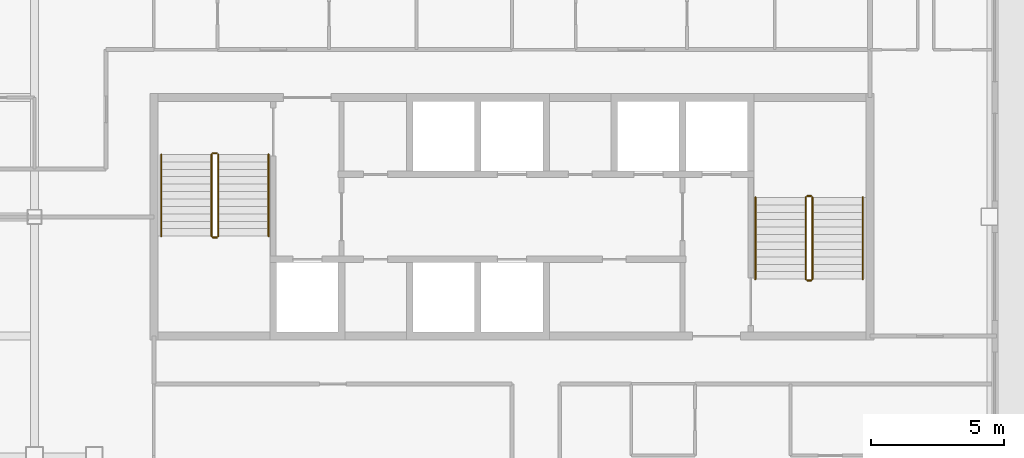
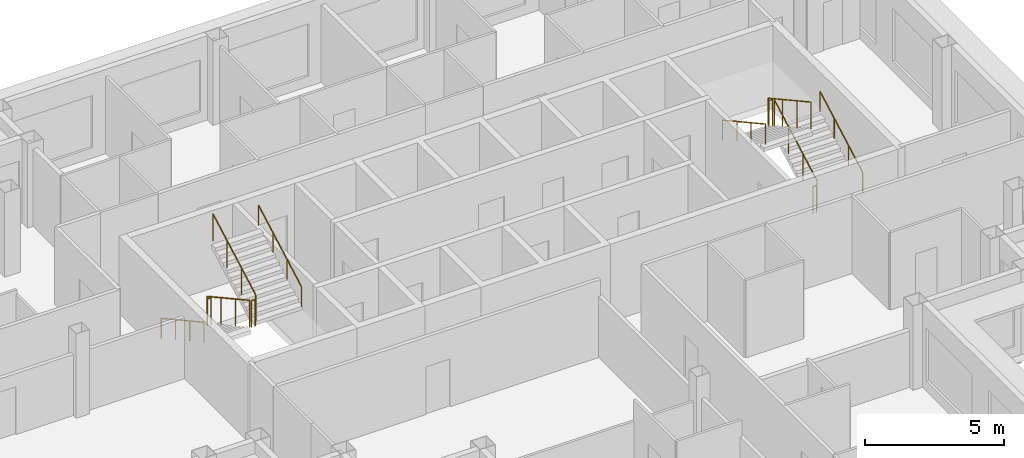
# One storey, part 12 of 12: 12 railings.
"""IFC4 building model written with IfcOpenShell, lengths in metres."""

from ifc_helpers import new_model, si_unit, direction, frame, origin, origin_2d, place, context, subcontext, project, spatial, circle, extrude, material, type_object, element, save


model = new_model("IFC4")

# Units and contexts
model_context = context("Model", 3, precision=1e-05, world=origin(), true_north=direction((0.0, 1.0)))
body_context = subcontext(model_context, "Body", "Model", "MODEL_VIEW")
ifc_project = project(units=[si_unit("LENGTHUNIT", "METRE"), si_unit("AREAUNIT", "SQUARE_METRE"), si_unit("VOLUMEUNIT", "CUBIC_METRE"), si_unit("PLANEANGLEUNIT", "RADIAN"), si_unit("MASSUNIT", "GRAM", prefix="KILO")], contexts=[model_context])

# Site, building, storey
site_placement = place(None, origin())
site = spatial("IfcSite", under=ifc_project, at=site_placement, CompositionType="ELEMENT")
building_placement = place(site_placement, origin())
building = spatial("IfcBuilding", under=site, at=building_placement, Name="Caravel Reach Hotel and Residences", CompositionType="ELEMENT")
storey_placement = place(building_placement, frame((0.0, 0.0, 214.60009765625)))
storey = spatial("IfcBuildingStorey", under=building, at=storey_placement, Name="L54", CompositionType="ELEMENT", Elevation=214.60009765625)

# Railings
ifc_material_1 = material(Name="Steel balustrade with glass infill", Category="steel")
railing_type_1 = type_object("IfcRailingType", Name="Guard 1200", PredefinedType="GUARDRAIL", material=ifc_material_1)
railing_1_placement = place(storey_placement, frame((20.175048828125, 29.35009765625, 0.154052734375)))
element("IfcRailing", 1, at=railing_1_placement, inside=storey, type_object=railing_type_1, Name="L54 ST-A stair guard 1", PredefinedType="GUARDRAIL", context=body_context, shape_type="SweptSolid", body=[
    extrude(circle(Radius=0.02392578125, at=origin_2d()), frame((0.0, 0.0, 1.17578125), z_axis=(0.0, -0.876004717809, 0.482302534076), x_axis=(1.0, 0.0, 0.0)), (0.0, 0.0, 1.0), 3.51611328125),
    extrude(circle(Radius=0.02099609375, at=origin_2d()), origin(), (0.0, 0.0, 1.0), 1.15185546875),
    extrude(circle(Radius=0.02099609375, at=origin_2d()), frame((0.0, -1.026611328125, 0.565185546875)), (0.0, 0.0, 1.0), 1.15185546875),
    extrude(circle(Radius=0.02099609375, at=origin_2d()), frame((0.0, -2.053466796875, 1.130615234375)), (0.0, 0.0, 1.0), 1.15185546875),
    extrude(circle(Radius=0.02099609375, at=origin_2d()), frame((0.0, -3.080078125, 1.69580078125)), (0.0, 0.0, 1.0), 1.15185546875),
])
railing_2_placement = place(storey_placement, frame((20.22509765625, 26.219970703125, 1.849853515625)))
element("IfcRailing", 2, at=railing_2_placement, inside=storey, type_object=railing_type_1, Name="L54 ST-A stair guard 2", PredefinedType="GUARDRAIL", context=body_context, shape_type="SweptSolid", body=[
    extrude(circle(Radius=0.02392578125, at=origin_2d()), frame((0.0, 0.0, 1.17578125), z_axis=(1.0, 0.0, 0.0), x_axis=(0.0, 1.0, 0.0)), (0.0, 0.0, 1.0), 0.14990234375),
    extrude(circle(Radius=0.02099609375, at=origin_2d()), origin(), (0.0, 0.0, 1.0), 1.15185546875),
    extrude(circle(Radius=0.02099609375, at=origin_2d()), frame((0.14990234375, 0.0, 0.0)), (0.0, 0.0, 1.0), 1.15185546875),
])
railing_3_placement = place(storey_placement, frame((20.425048828125, 26.27001953125, 2.004150390625)))
element("IfcRailing", 3, at=railing_3_placement, inside=storey, type_object=railing_type_1, Name="L54 ST-A stair guard 3", PredefinedType="GUARDRAIL", context=body_context, shape_type="SweptSolid", body=[
    extrude(circle(Radius=0.02392578125, at=origin_2d()), frame((0.0, 0.0, 1.17578125), z_axis=(0.0, 0.876004717809, 0.482302534076), x_axis=(-1.0, 0.0, 0.0)), (0.0, 0.0, 1.0), 3.51611328125),
    extrude(circle(Radius=0.02099609375, at=origin_2d()), origin(), (0.0, 0.0, 1.0), 1.15185546875),
    extrude(circle(Radius=0.02099609375, at=origin_2d()), frame((0.0, 1.026611328125, 0.565185546875)), (0.0, 0.0, 1.0), 1.15185546875),
    extrude(circle(Radius=0.02099609375, at=origin_2d()), frame((0.0, 2.053466796875, 1.130615234375)), (0.0, 0.0, 1.0), 1.15185546875),
    extrude(circle(Radius=0.02099609375, at=origin_2d()), frame((0.0, 3.080078125, 1.69580078125)), (0.0, 0.0, 1.0), 1.15185546875),
])
railing_4_placement = place(storey_placement, frame((20.22509765625, 29.39990234375, 0.0)))
element("IfcRailing", 4, at=railing_4_placement, inside=storey, type_object=railing_type_1, Name="L54 ST-A stair guard 4", PredefinedType="GUARDRAIL", context=body_context, shape_type="SweptSolid", body=[
    extrude(circle(Radius=0.02392578125, at=origin_2d()), frame((0.0, 0.0, 1.17578125), z_axis=(1.0, 0.0, 0.0), x_axis=(0.0, 1.0, 0.0)), (0.0, 0.0, 1.0), 0.14990234375),
    extrude(circle(Radius=0.02099609375, at=origin_2d()), origin(), (0.0, 0.0, 1.0), 1.15185546875),
    extrude(circle(Radius=0.02099609375, at=origin_2d()), frame((0.14990234375, 0.0, 0.0)), (0.0, 0.0, 1.0), 1.15185546875),
])
railing_5_placement = place(storey_placement, frame((42.824951171875, 24.64990234375, 0.154052734375)))
element("IfcRailing", 5, at=railing_5_placement, inside=storey, type_object=railing_type_1, Name="L54 ST-B stair guard 1", PredefinedType="GUARDRAIL", context=body_context, shape_type="SweptSolid", body=[
    extrude(circle(Radius=0.02392578125, at=origin_2d()), frame((0.0, 0.0, 1.17578125), z_axis=(0.0, 0.876004717809, 0.482302534076), x_axis=(-1.0, 0.0, 0.0)), (0.0, 0.0, 1.0), 3.51611328125),
    extrude(circle(Radius=0.02099609375, at=origin_2d()), origin(), (0.0, 0.0, 1.0), 1.15185546875),
    extrude(circle(Radius=0.02099609375, at=origin_2d()), frame((0.0, 1.026611328125, 0.565185546875)), (0.0, 0.0, 1.0), 1.15185546875),
    extrude(circle(Radius=0.02099609375, at=origin_2d()), frame((0.0, 2.053466796875, 1.130615234375)), (0.0, 0.0, 1.0), 1.15185546875),
    extrude(circle(Radius=0.02099609375, at=origin_2d()), frame((0.0, 3.080078125, 1.69580078125)), (0.0, 0.0, 1.0), 1.15185546875),
])
railing_6_placement = place(storey_placement, frame((42.77490234375, 27.780029296875, 1.849853515625)))
element("IfcRailing", 6, at=railing_6_placement, inside=storey, type_object=railing_type_1, Name="L54 ST-B stair guard 2", PredefinedType="GUARDRAIL", context=body_context, shape_type="SweptSolid", body=[
    extrude(circle(Radius=0.02392578125, at=origin_2d()), frame((0.0, 0.0, 1.17578125), z_axis=(-1.0, 0.0, 0.0), x_axis=(0.0, -1.0, 0.0)), (0.0, 0.0, 1.0), 0.14990234375),
    extrude(circle(Radius=0.02099609375, at=origin_2d()), origin(), (0.0, 0.0, 1.0), 1.15185546875),
    extrude(circle(Radius=0.02099609375, at=origin_2d()), frame((-0.14990234375, 0.0, 0.0)), (0.0, 0.0, 1.0), 1.15185546875),
])
railing_7_placement = place(storey_placement, frame((42.574951171875, 27.72998046875, 2.004150390625)))
element("IfcRailing", 7, at=railing_7_placement, inside=storey, type_object=railing_type_1, Name="L54 ST-B stair guard 3", PredefinedType="GUARDRAIL", context=body_context, shape_type="SweptSolid", body=[
    extrude(circle(Radius=0.02392578125, at=origin_2d()), frame((0.0, 0.0, 1.17578125), z_axis=(0.0, -0.876004717809, 0.482302534076), x_axis=(1.0, 0.0, 0.0)), (0.0, 0.0, 1.0), 3.51611328125),
    extrude(circle(Radius=0.02099609375, at=origin_2d()), origin(), (0.0, 0.0, 1.0), 1.15185546875),
    extrude(circle(Radius=0.02099609375, at=origin_2d()), frame((0.0, -1.026611328125, 0.565185546875)), (0.0, 0.0, 1.0), 1.15185546875),
    extrude(circle(Radius=0.02099609375, at=origin_2d()), frame((0.0, -2.053466796875, 1.130615234375)), (0.0, 0.0, 1.0), 1.15185546875),
    extrude(circle(Radius=0.02099609375, at=origin_2d()), frame((0.0, -3.080078125, 1.69580078125)), (0.0, 0.0, 1.0), 1.15185546875),
])
railing_8_placement = place(storey_placement, frame((42.77490234375, 24.60009765625, 0.0)))
element("IfcRailing", 8, at=railing_8_placement, inside=storey, type_object=railing_type_1, Name="L54 ST-B stair guard 4", PredefinedType="GUARDRAIL", context=body_context, shape_type="SweptSolid", body=[
    extrude(circle(Radius=0.02392578125, at=origin_2d()), frame((0.0, 0.0, 1.17578125), z_axis=(-1.0, 0.0, 0.0), x_axis=(0.0, -1.0, 0.0)), (0.0, 0.0, 1.0), 0.14990234375),
    extrude(circle(Radius=0.02099609375, at=origin_2d()), origin(), (0.0, 0.0, 1.0), 1.15185546875),
    extrude(circle(Radius=0.02099609375, at=origin_2d()), frame((-0.14990234375, 0.0, 0.0)), (0.0, 0.0, 1.0), 1.15185546875),
])
ifc_material_2 = material(Name="Stainless steel handrail", Category="steel")
railing_type_2 = type_object("IfcRailingType", Name="Handrail 900", PredefinedType="HANDRAIL", material=ifc_material_2)
railing_9_placement = place(storey_placement, frame((18.27490234375, 29.35009765625, 0.154052734375)))
element("IfcRailing", 9, at=railing_9_placement, inside=storey, type_object=railing_type_2, Name="L54 ST-A stair handrail 1", PredefinedType="HANDRAIL", context=body_context, shape_type="SweptSolid", body=[
    extrude(circle(Radius=0.02392578125, at=origin_2d()), frame((0.0, 0.0, 0.8759765625), z_axis=(0.0, -0.876004717809, 0.482302534076), x_axis=(1.0, 0.0, 0.0)), (0.0, 0.0, 1.0), 3.51611328125),
    extrude(circle(Radius=0.02099609375, at=origin_2d()), origin(), (0.0, 0.0, 1.0), 0.851806640625),
    extrude(circle(Radius=0.02099609375, at=origin_2d()), frame((0.0, -1.026611328125, 0.565185546875)), (0.0, 0.0, 1.0), 0.851806640625),
    extrude(circle(Radius=0.02099609375, at=origin_2d()), frame((0.0, -2.053466796875, 1.130615234375)), (0.0, 0.0, 1.0), 0.851806640625),
    extrude(circle(Radius=0.02099609375, at=origin_2d()), frame((0.0, -3.080078125, 1.69580078125)), (0.0, 0.0, 1.0), 0.851806640625),
])
for number, where, name in (
    (10, (22.324951171875, 26.27001953125, 2.004150390625), "L54 ST-A stair handrail 2"),
    (11, (44.72509765625, 24.64990234375, 0.154052734375), "L54 ST-B stair handrail 1"),
):
    element("IfcRailing", number, at=place(storey_placement, frame(where)), inside=storey, type_object=railing_type_2, Name=name, PredefinedType="HANDRAIL", context=body_context, shape_type="SweptSolid", body=[
        extrude(circle(Radius=0.02392578125, at=origin_2d()), frame((0.0, 0.0, 0.8759765625), z_axis=(0.0, 0.876004717809, 0.482302534076), x_axis=(-1.0, 0.0, 0.0)), (0.0, 0.0, 1.0), 3.51611328125),
        extrude(circle(Radius=0.02099609375, at=origin_2d()), origin(), (0.0, 0.0, 1.0), 0.851806640625),
        extrude(circle(Radius=0.02099609375, at=origin_2d()), frame((0.0, 1.026611328125, 0.565185546875)), (0.0, 0.0, 1.0), 0.851806640625),
        extrude(circle(Radius=0.02099609375, at=origin_2d()), frame((0.0, 2.053466796875, 1.130615234375)), (0.0, 0.0, 1.0), 0.851806640625),
        extrude(circle(Radius=0.02099609375, at=origin_2d()), frame((0.0, 3.080078125, 1.69580078125)), (0.0, 0.0, 1.0), 0.851806640625),
    ])
railing_10_placement = place(storey_placement, frame((40.675048828125, 27.72998046875, 2.004150390625)))
element("IfcRailing", 12, at=railing_10_placement, inside=storey, type_object=railing_type_2, Name="L54 ST-B stair handrail 2", PredefinedType="HANDRAIL", context=body_context, shape_type="SweptSolid", body=[
    extrude(circle(Radius=0.02392578125, at=origin_2d()), frame((0.0, 0.0, 0.8759765625), z_axis=(0.0, -0.876004717809, 0.482302534076), x_axis=(1.0, 0.0, 0.0)), (0.0, 0.0, 1.0), 3.51611328125),
    extrude(circle(Radius=0.02099609375, at=origin_2d()), origin(), (0.0, 0.0, 1.0), 0.851806640625),
    extrude(circle(Radius=0.02099609375, at=origin_2d()), frame((0.0, -1.026611328125, 0.565185546875)), (0.0, 0.0, 1.0), 0.851806640625),
    extrude(circle(Radius=0.02099609375, at=origin_2d()), frame((0.0, -2.053466796875, 1.130615234375)), (0.0, 0.0, 1.0), 0.851806640625),
    extrude(circle(Radius=0.02099609375, at=origin_2d()), frame((0.0, -3.080078125, 1.69580078125)), (0.0, 0.0, 1.0), 0.851806640625),
])

save(model, "model.ifc")
